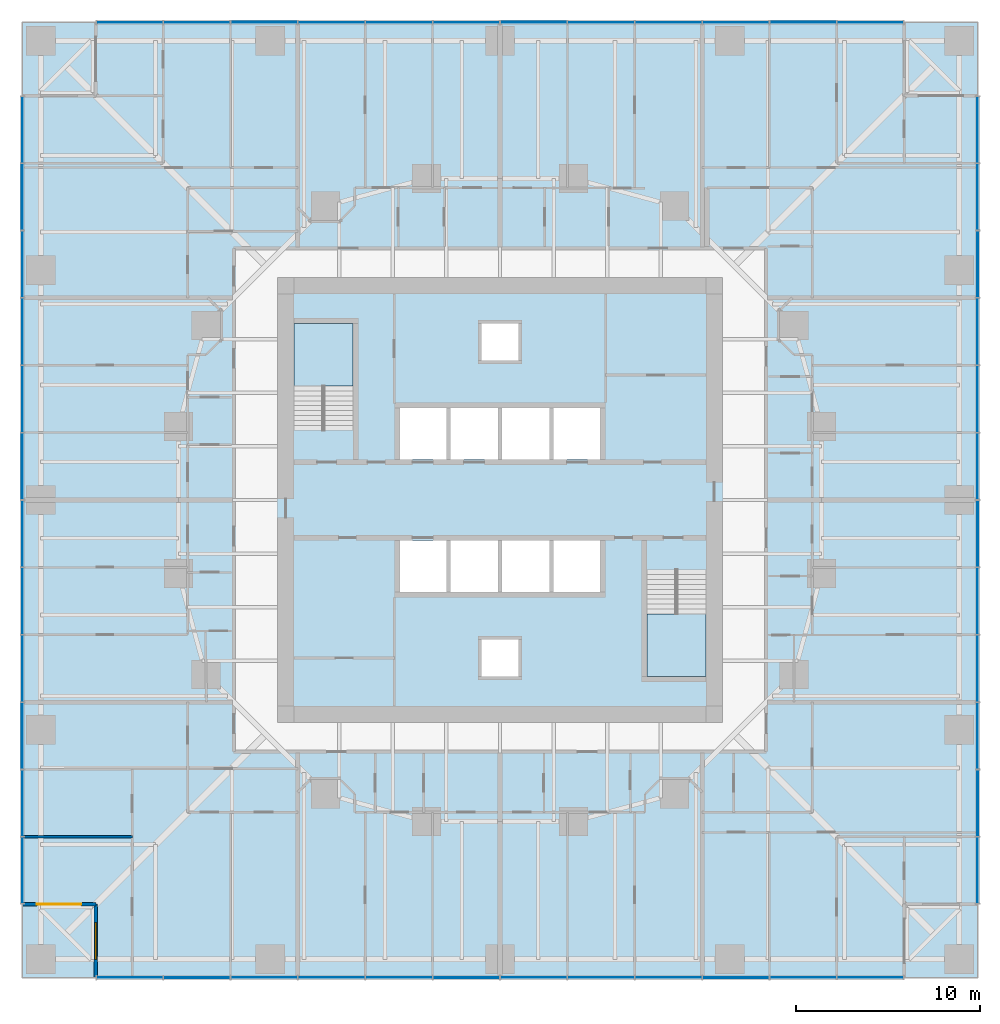
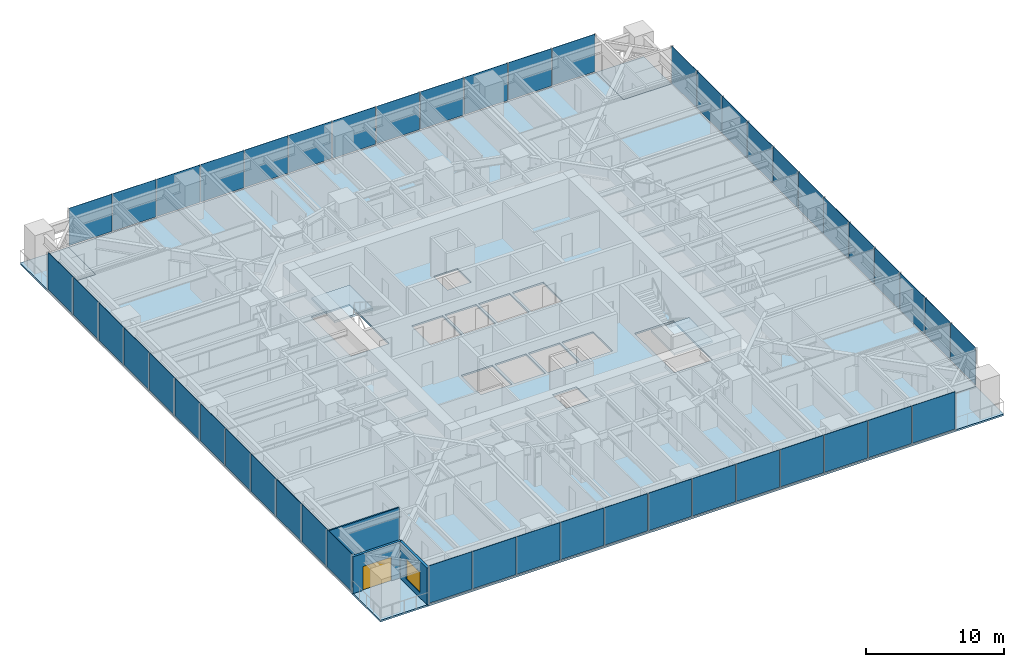
# One storey, part 7 of 17: 48 plates, 7 slabs, 3 walls, 1 door, 1 window, 2 openings, 6 elements without a shape of their own.
"""IFC4 building model written with IfcOpenShell, lengths in metres."""

import ifcopenshell
import ifcopenshell.guid

model = None  # the IFC model being written
_history = None  # IfcOwnerHistory: only IFC2X3 demands one
_inside = {}  # id of a spatial element -> (the spatial element, [elements in it])
_under = {}  # id of a project, library or spatial element -> (it, [spatial elements below it])
_declared = {}  # id of a project -> (the project, [libraries it declares])
_typed = {}  # id of a type object -> (the type object, [elements of that type])
_made_of = {}  # id of a material, layer set ... -> (it, [elements and type objects made of it])


def new_model(schema):
    """Start an empty IFC model of exactly this schema.

    Asked for "IFC4X3", IfcOpenShell would pick the latest addendum, in which some entities
    have other attributes; the version numbers below select the first issue.
    IFC2X3 requires an IfcOwnerHistory on every rooted entity: one is made here for all.
    """
    global model, _history
    if schema == "IFC4X3":
        model = ifcopenshell.file(schema_version=(4, 3, 0, 0))
    else:
        model = ifcopenshell.file(schema=schema)
    _inside.clear()
    _under.clear()
    _declared.clear()
    _typed.clear()
    _made_of.clear()
    _history = None
    if model.schema == "IFC2X3":
        org = make("IfcOrganization", Name="unknown")
        user = make(
            "IfcPersonAndOrganization",
            ThePerson=make("IfcPerson", FamilyName="unknown"),
            TheOrganization=org,
        )
        app = make(
            "IfcApplication",
            ApplicationDeveloper=org,
            Version="unknown",
            ApplicationFullName="unknown",
            ApplicationIdentifier="unknown",
        )
        _history = make(
            "IfcOwnerHistory",
            OwningUser=user,
            OwningApplication=app,
            ChangeAction="ADDED",
            CreationDate=0,
        )
    return model


def make(cls, **values):
    """One entity of the class cls with the attributes given. An attribute that is None is left unset."""
    return model.create_entity(
        cls, **{name: value for name, value in values.items() if value is not None}
    )


def rooted(cls, **values):
    """An entity with a GlobalId (a new one), such as an element, a storey or a relation."""
    return make(cls, GlobalId=ifcopenshell.guid.new(), OwnerHistory=_history, **values)


def si_unit(unit_type, name, prefix=None):
    """IfcSIUnit, for example si_unit("LENGTHUNIT", "METRE", prefix="MILLI")."""
    return make("IfcSIUnit", UnitType=unit_type, Prefix=prefix, Name=name)


def assignment(units):
    """IfcUnitAssignment: the units of a project."""
    return None if units is None else make("IfcUnitAssignment", Units=units)


def point(xyz):
    """IfcCartesianPoint."""
    return None if xyz is None else make("IfcCartesianPoint", Coordinates=xyz)


def direction(xyz):
    """IfcDirection."""
    return None if xyz is None else make("IfcDirection", DirectionRatios=xyz)


def frame(location, z_axis=None, x_axis=None):
    """IfcAxis2Placement3D, a coordinate frame: its origin and axes. An axis left out is left unset."""
    return make(
        "IfcAxis2Placement3D",
        Location=point(location),
        Axis=direction(z_axis),
        RefDirection=direction(x_axis),
    )


def frame_2d(location, x_axis=None):
    """IfcAxis2Placement2D, a coordinate frame in the plane: its origin and x axis."""
    return make(
        "IfcAxis2Placement2D", Location=point(location), RefDirection=direction(x_axis)
    )


def origin():
    """The frame at (0, 0, 0) with its axes left unset."""
    return frame((0.0, 0.0, 0.0))


def origin_2d():
    """The frame at (0, 0) in the plane with its x axis left unset."""
    return frame_2d((0.0, 0.0))


def place(relative_to, where):
    """IfcLocalPlacement: puts the frame where relative to a parent placement (None: the world)."""
    return make(
        "IfcLocalPlacement", PlacementRelTo=relative_to, RelativePlacement=where
    )


def context(
    kind, dimensions, precision=None, world=None, true_north=None, identifier=None
):
    """IfcGeometricRepresentationContext, for example the 3D "Model" context."""
    return make(
        "IfcGeometricRepresentationContext",
        ContextIdentifier=identifier,
        ContextType=kind,
        CoordinateSpaceDimension=dimensions,
        Precision=precision,
        WorldCoordinateSystem=world,
        TrueNorth=true_north,
    )


def subcontext(parent, identifier, kind, view, scale=None):
    """IfcGeometricRepresentationSubContext, for example "Body" below "Model"."""
    return make(
        "IfcGeometricRepresentationSubContext",
        ContextIdentifier=identifier,
        ContextType=kind,
        ParentContext=parent,
        TargetScale=scale,
        TargetView=view,
    )


def project(units=None, contexts=None):
    """IfcProject with its units and contexts."""
    return rooted(
        "IfcProject",
        Name="project",
        RepresentationContexts=contexts,
        UnitsInContext=assignment(units),
    )


def spatial(cls, under=None, at=None, **own):
    """A site, building, storey or space (cls), placed at a placement, below another one or the project."""
    s = rooted(cls, ObjectPlacement=at, **own)
    if under is not None:
        _under.setdefault(under.id(), (under, []))[1].append(s)
    return s


def polyline(points):
    """IfcPolyline through the points."""
    return make("IfcPolyline", Points=[point(p) for p in points])


def profile(cls, at=None, kind="AREA", **sizes):
    """A parametric profile (cls). Its sizes go by their IFC names, for example OverallWidth=200.0."""
    return make(cls, ProfileType=kind, Position=at, **sizes)


def rectangle(**sizes):
    """IfcRectangleProfileDef."""
    return profile("IfcRectangleProfileDef", **sizes)


def outline(outer, holes=None, kind="AREA"):
    """IfcArbitraryClosedProfileDef: a profile drawn as a closed curve; with holes, ...WithVoids."""
    if holes is None:
        return make("IfcArbitraryClosedProfileDef", ProfileType=kind, OuterCurve=outer)
    return make(
        "IfcArbitraryProfileDefWithVoids",
        ProfileType=kind,
        OuterCurve=outer,
        InnerCurves=holes,
    )


def extrude(swept, where, along, depth):
    """IfcExtrudedAreaSolid: the profile swept, set in the frame where, extruded along a direction by depth."""
    return make(
        "IfcExtrudedAreaSolid",
        SweptArea=swept,
        Position=where,
        ExtrudedDirection=direction(along),
        Depth=depth,
    )


def shape(context_of_items, identifier, shape_type, items):
    """IfcShapeRepresentation: the items that make up one representation, for example the "Body"."""
    return make(
        "IfcShapeRepresentation",
        ContextOfItems=context_of_items,
        RepresentationIdentifier=identifier,
        RepresentationType=shape_type,
        Items=items,
    )


def material(Name=None, Category=None):
    """IfcMaterial."""
    return make("IfcMaterial", Name=Name, Category=Category)


def layer(
    of_material, thickness, ventilated=None, Name=None, Category=None, Priority=None
):
    """IfcMaterialLayer: one layer of a wall or slab, of a material (None: an air gap)."""
    return make(
        "IfcMaterialLayer",
        Material=of_material,
        LayerThickness=thickness,
        IsVentilated=ventilated,
        Name=Name,
        Category=Category,
        Priority=Priority,
    )


def layer_set(layers, Name=None):
    """IfcMaterialLayerSet."""
    return make("IfcMaterialLayerSet", MaterialLayers=layers, LayerSetName=Name)


def made_of(thing, what):
    """Note that an element or type object is made of a material, layer set ...; save() writes the relation."""
    if what is not None:
        _made_of.setdefault(what.id(), (what, []))[1].append(thing)
    return thing


def type_object(cls, material=None, **own):
    """A type object (cls), such as IfcWallType, which elements share."""
    return made_of(rooted(cls, **own), material)


def element(
    cls,
    number,
    at=None,
    inside=None,
    cuts=None,
    type_object=None,
    material=None,
    context=None,
    identifier="Body",
    shape_type=None,
    held_by="IfcProductDefinitionShape",
    body=None,
    shapes=None,
    **own,
):
    """One element of the class cls, such as IfcWall. Its Tag is "e" and its number.

    at: its placement. inside: the storey or other place that contains it. cuts: it is an
    opening in that element (IfcRelVoidsElement). A single representation is given by context,
    identifier, shape_type and body (its items); several are given by shapes. held_by: the class
    of the entity that holds the representations. save() writes the other relations.
    """
    e = rooted(cls, Tag="e%d" % number, ObjectPlacement=at, **own)
    if body is not None:
        shapes = [shape(context, identifier, shape_type, body)]
    if shapes is not None:
        e.Representation = make(held_by, Representations=shapes)
    if inside is not None:
        _inside.setdefault(inside.id(), (inside, []))[1].append(e)
    if cuts is not None:
        rooted(
            "IfcRelVoidsElement", RelatingBuildingElement=cuts, RelatedOpeningElement=e
        )
    if type_object is not None:
        _typed.setdefault(type_object.id(), (type_object, []))[1].append(e)
    return made_of(e, material)


def fill(opening, filler):
    """IfcRelFillsElement: the door or window that sits in an opening."""
    return rooted(
        "IfcRelFillsElement",
        RelatingOpeningElement=opening,
        RelatedBuildingElement=filler,
    )


def aggregate(whole, parts):
    """IfcRelAggregates: a whole, such as a stair, and the parts it consists of."""
    return rooted("IfcRelAggregates", RelatingObject=whole, RelatedObjects=parts)


def save(model, path):
    """Write the relations noted so far, then the file.

    IfcRelAggregates (storeys below a building ...), IfcRelContainedInSpatialStructure (elements
    in a storey), IfcRelDefinesByType, IfcRelAssociatesMaterial and IfcRelDeclares: one each for
    every whole, place, type object, material and project.
    """
    for whole, parts in _under.values():
        aggregate(whole, parts)
    for where, things in _inside.values():
        rooted(
            "IfcRelContainedInSpatialStructure",
            RelatedElements=things,
            RelatingStructure=where,
        )
    for kind, things in _typed.values():
        rooted("IfcRelDefinesByType", RelatedObjects=things, RelatingType=kind)
    for what, things in _made_of.values():
        rooted("IfcRelAssociatesMaterial", RelatedObjects=things, RelatingMaterial=what)
    for by, libraries in _declared.values():
        rooted("IfcRelDeclares", RelatingContext=by, RelatedDefinitions=libraries)
    model.write(path)


model = new_model("IFC4")

# Units and contexts
model_context = context("Model", 3, precision=1e-05, world=origin(), true_north=direction((0.0, 1.0)))
body_context = subcontext(model_context, "Body", "Model", "MODEL_VIEW")
ifc_project = project(units=[si_unit("LENGTHUNIT", "METRE"), si_unit("AREAUNIT", "SQUARE_METRE"), si_unit("VOLUMEUNIT", "CUBIC_METRE"), si_unit("PLANEANGLEUNIT", "RADIAN"), si_unit("MASSUNIT", "GRAM", prefix="KILO")], contexts=[model_context])

# Site, building, storey
site_placement = place(None, origin())
site = spatial("IfcSite", under=ifc_project, at=site_placement, CompositionType="ELEMENT")
building_placement = place(site_placement, origin())
building = spatial("IfcBuilding", under=site, at=building_placement, Name="Torsade Residences", CompositionType="ELEMENT")
storey_placement = place(building_placement, frame((0.0, 0.0, 21.800048828125)))
storey = spatial("IfcBuildingStorey", under=building, at=storey_placement, Name="L05", CompositionType="ELEMENT", Elevation=21.800048828125)

# Slab
ifc_material_1 = material(Name="Concrete 40 MPa", Category="concrete")
ifc_layer_1 = layer(ifc_material_1, 0.14990234375)
ifc_layer_set_1 = layer_set([ifc_layer_1], Name="Concrete 40 MPa")
slab_type_1 = type_object("IfcSlabType", Name="COMPOSITE FLOOR SLAB 150", PredefinedType="FLOOR", material=ifc_layer_set_1)
slab_1_placement = place(storey_placement, frame((0.0, 0.0, -0.150146484375)))
element("IfcSlab", 1, at=slab_1_placement, inside=storey, type_object=slab_type_1, Name="Floor slab L05", PredefinedType="FLOOR", context=body_context, shape_type="SweptSolid", body=[
    extrude(outline(polyline([(18.0, 4.0), (62.0, 4.0), (62.0, 8.0), (66.0, 8.0), (66.0, 52.0), (62.0, 52.0), (62.0, 56.0), (18.0, 56.0), (18.0, 52.0), (14.0, 52.0), (14.0, 8.0), (18.0, 8.0), (18.0, 4.0)]), holes=[polyline([(51.199951171875, 20.39990234375), (51.199951171875, 26.1201171875), (48.0, 26.1201171875), (48.0, 20.39990234375), (51.199951171875, 20.39990234375)]), polyline([(45.5, 27.800048828125), (42.89990234375, 27.800048828125), (42.89990234375, 25.0), (45.5, 25.0), (45.5, 27.800048828125)]), polyline([(45.5, 32.199951171875), (45.5, 35.0), (42.89990234375, 35.0), (42.89990234375, 32.199951171875), (45.5, 32.199951171875)]), polyline([(42.699951171875, 25.0), (42.699951171875, 27.800048828125), (40.10009765625, 27.800048828125), (40.10009765625, 25.0), (42.699951171875, 25.0)]), polyline([(42.699951171875, 32.199951171875), (42.699951171875, 35.0), (40.10009765625, 35.0), (40.10009765625, 32.199951171875), (42.699951171875, 32.199951171875)]), polyline([(41.0, 22.39990234375), (39.0, 22.39990234375), (39.0, 20.39990234375), (41.0, 20.39990234375), (41.0, 22.39990234375)]), polyline([(41.0, 37.60009765625), (41.0, 39.60009765625), (39.0, 39.60009765625), (39.0, 37.60009765625), (41.0, 37.60009765625)]), polyline([(39.89990234375, 25.0), (39.89990234375, 27.800048828125), (37.300048828125, 27.800048828125), (37.300048828125, 25.0), (39.89990234375, 25.0)]), polyline([(39.89990234375, 35.0), (37.300048828125, 35.0), (37.300048828125, 32.199951171875), (39.89990234375, 32.199951171875), (39.89990234375, 35.0)]), polyline([(37.10009765625, 27.800048828125), (34.5, 27.800048828125), (34.5, 25.0), (37.10009765625, 25.0), (37.10009765625, 27.800048828125)]), polyline([(37.10009765625, 32.199951171875), (37.10009765625, 35.0), (34.5, 35.0), (34.5, 32.199951171875), (37.10009765625, 32.199951171875)]), polyline([(32.0, 33.8798828125), (32.0, 39.60009765625), (28.800048828125, 39.60009765625), (28.800048828125, 33.8798828125), (32.0, 33.8798828125)])]), origin(), (0.0, 0.0, 1.0), 0.150146484375),
])

# Curtain wall, plates
ifc_material_2 = material(Name="Aluminium and glass", Category="aluminium")
curtain_wall_type = type_object("IfcCurtainWallType", Name="FRITTED GLASS CURTAIN WALL LOW ZONE", PredefinedType="NOTDEFINED", material=ifc_material_2)
curtain_wall_1_placement = place(storey_placement, origin())
curtain_wall_1 = element("IfcCurtainWall", 2, at=curtain_wall_1_placement, inside=storey, type_object=curtain_wall_type, Name="Curtain wall L05 face 1", PredefinedType="NOTDEFINED")
ifc_material_3 = material(Name="Laminated glass", Category="glass")
ifc_layer_2 = layer(ifc_material_3, 0.031982421875)
ifc_layer_set_2 = layer_set([ifc_layer_2], Name="Laminated glass")
plate_type_1 = type_object("IfcPlateType", Name="FRITTED GLASS PANEL", PredefinedType="CURTAIN_PANEL", material=ifc_layer_set_2)
plate_1_placement = place(storey_placement, frame((19.849609375, 4.0, 0.10009765625), z_axis=(0.0, 0.0, 1.0), x_axis=(1.0, 0.0, 0.0)))
plate_1 = element("IfcPlate", 3, at=plate_1_placement, type_object=plate_type_1, Name="Panel 1", PredefinedType="CURTAIN_PANEL", context=body_context, shape_type="SweptSolid", body=[
    extrude(rectangle(XDim=3.569091796875, YDim=0.031982421875, at=origin_2d()), origin(), (0.0, 0.0, 1.0), 3.300048828125),
])
plate_2_placement = place(storey_placement, frame((27.166748046875, 4.0, 0.10009765625), z_axis=(0.0, 0.0, 1.0), x_axis=(1.0, 0.0, 0.0)))
plate_2 = element("IfcPlate", 4, at=plate_2_placement, type_object=plate_type_1, Name="Panel 3", PredefinedType="CURTAIN_PANEL", context=body_context, shape_type="SweptSolid", body=[
    extrude(rectangle(XDim=3.6015625, YDim=0.031982421875, at=origin_2d()), origin(), (0.0, 0.0, 1.0), 3.300048828125),
])
plate_3_placement = place(storey_placement, frame((30.833251953125, 4.0, 0.10009765625), z_axis=(0.0, 0.0, 1.0), x_axis=(1.0, 0.0, 0.0)))
plate_3 = element("IfcPlate", 5, at=plate_3_placement, type_object=plate_type_1, Name="Panel 4", PredefinedType="CURTAIN_PANEL", context=body_context, shape_type="SweptSolid", body=[
    extrude(rectangle(XDim=3.6015625, YDim=0.031982421875, at=origin_2d()), origin(), (0.0, 0.0, 1.0), 3.300048828125),
])
plate_4_placement = place(storey_placement, frame((34.5, 4.0, 0.10009765625), z_axis=(0.0, 0.0, 1.0), x_axis=(1.0, 0.0, 0.0)))
plate_4 = element("IfcPlate", 6, at=plate_4_placement, type_object=plate_type_1, Name="Panel 5", PredefinedType="CURTAIN_PANEL", context=body_context, shape_type="SweptSolid", body=[
    extrude(rectangle(XDim=3.6015625, YDim=0.031982421875, at=origin_2d()), origin(), (0.0, 0.0, 1.0), 3.300048828125),
])
plate_5_placement = place(storey_placement, frame((41.833251953125, 4.0, 0.10009765625), z_axis=(0.0, 0.0, 1.0), x_axis=(1.0, 0.0, 0.0)))
plate_5 = element("IfcPlate", 7, at=plate_5_placement, type_object=plate_type_1, Name="Panel 7", PredefinedType="CURTAIN_PANEL", context=body_context, shape_type="SweptSolid", body=[
    extrude(rectangle(XDim=3.6015625, YDim=0.031982421875, at=origin_2d()), origin(), (0.0, 0.0, 1.0), 3.300048828125),
])
plate_6_placement = place(storey_placement, frame((45.5, 4.0, 0.10009765625), z_axis=(0.0, 0.0, 1.0), x_axis=(1.0, 0.0, 0.0)))
plate_6 = element("IfcPlate", 8, at=plate_6_placement, type_object=plate_type_1, Name="Panel 8", PredefinedType="CURTAIN_PANEL", context=body_context, shape_type="SweptSolid", body=[
    extrude(rectangle(XDim=3.6015625, YDim=0.031982421875, at=origin_2d()), origin(), (0.0, 0.0, 1.0), 3.300048828125),
])
plate_7_placement = place(storey_placement, frame((49.166748046875, 4.0, 0.10009765625), z_axis=(0.0, 0.0, 1.0), x_axis=(1.0, 0.0, 0.0)))
plate_7 = element("IfcPlate", 9, at=plate_7_placement, type_object=plate_type_1, Name="Panel 9", PredefinedType="CURTAIN_PANEL", context=body_context, shape_type="SweptSolid", body=[
    extrude(rectangle(XDim=3.6015625, YDim=0.031982421875, at=origin_2d()), origin(), (0.0, 0.0, 1.0), 3.300048828125),
])
plate_8_placement = place(storey_placement, frame((56.5, 4.0, 0.10009765625), z_axis=(0.0, 0.0, 1.0), x_axis=(1.0, 0.0, 0.0)))
plate_8 = element("IfcPlate", 10, at=plate_8_placement, type_object=plate_type_1, Name="Panel 11", PredefinedType="CURTAIN_PANEL", context=body_context, shape_type="SweptSolid", body=[
    extrude(rectangle(XDim=3.6015625, YDim=0.031982421875, at=origin_2d()), origin(), (0.0, 0.0, 1.0), 3.300048828125),
])
plate_9_placement = place(storey_placement, frame((60.150390625, 4.0, 0.10009765625), z_axis=(0.0, 0.0, 1.0), x_axis=(1.0, 0.0, 0.0)))
plate_9 = element("IfcPlate", 11, at=plate_9_placement, type_object=plate_type_1, Name="Panel 12", PredefinedType="CURTAIN_PANEL", context=body_context, shape_type="SweptSolid", body=[
    extrude(rectangle(XDim=3.569091796875, YDim=0.031982421875, at=origin_2d()), origin(), (0.0, 0.0, 1.0), 3.300048828125),
])

curtain_wall_2_placement = place(storey_placement, origin())
curtain_wall_2 = element("IfcCurtainWall", 12, at=curtain_wall_2_placement, inside=storey, type_object=curtain_wall_type, Name="Curtain wall L05 face 4", PredefinedType="NOTDEFINED")
plate_10_placement = place(storey_placement, frame((66.0, 9.849609375, 0.10009765625), z_axis=(0.0, 0.0, 1.0), x_axis=(0.0, 1.0, 0.0)))
plate_10 = element("IfcPlate", 13, at=plate_10_placement, type_object=plate_type_1, Name="Panel 1", PredefinedType="CURTAIN_PANEL", context=body_context, shape_type="SweptSolid", body=[
    extrude(rectangle(XDim=3.569091796875, YDim=0.031982421875, at=origin_2d()), origin(), (0.0, 0.0, 1.0), 3.300048828125),
])
plate_11_placement = place(storey_placement, frame((66.0, 17.166748046875, 0.10009765625), z_axis=(0.0, 0.0, 1.0), x_axis=(0.0, 1.0, 0.0)))
plate_11 = element("IfcPlate", 14, at=plate_11_placement, type_object=plate_type_1, Name="Panel 3", PredefinedType="CURTAIN_PANEL", context=body_context, shape_type="SweptSolid", body=[
    extrude(rectangle(XDim=3.6015625, YDim=0.031982421875, at=origin_2d()), origin(), (0.0, 0.0, 1.0), 3.300048828125),
])
plate_12_placement = place(storey_placement, frame((66.0, 20.833251953125, 0.10009765625), z_axis=(0.0, 0.0, 1.0), x_axis=(0.0, 1.0, 0.0)))
plate_12 = element("IfcPlate", 15, at=plate_12_placement, type_object=plate_type_1, Name="Panel 4", PredefinedType="CURTAIN_PANEL", context=body_context, shape_type="SweptSolid", body=[
    extrude(rectangle(XDim=3.6015625, YDim=0.031982421875, at=origin_2d()), origin(), (0.0, 0.0, 1.0), 3.300048828125),
])
plate_13_placement = place(storey_placement, frame((66.0, 24.5, 0.10009765625), z_axis=(0.0, 0.0, 1.0), x_axis=(0.0, 1.0, 0.0)))
plate_13 = element("IfcPlate", 16, at=plate_13_placement, type_object=plate_type_1, Name="Panel 5", PredefinedType="CURTAIN_PANEL", context=body_context, shape_type="SweptSolid", body=[
    extrude(rectangle(XDim=3.6015625, YDim=0.031982421875, at=origin_2d()), origin(), (0.0, 0.0, 1.0), 3.300048828125),
])
plate_14_placement = place(storey_placement, frame((66.0, 31.833251953125, 0.10009765625), z_axis=(0.0, 0.0, 1.0), x_axis=(0.0, 1.0, 0.0)))
plate_14 = element("IfcPlate", 17, at=plate_14_placement, type_object=plate_type_1, Name="Panel 7", PredefinedType="CURTAIN_PANEL", context=body_context, shape_type="SweptSolid", body=[
    extrude(rectangle(XDim=3.6015625, YDim=0.031982421875, at=origin_2d()), origin(), (0.0, 0.0, 1.0), 3.300048828125),
])
plate_15_placement = place(storey_placement, frame((66.0, 35.5, 0.10009765625), z_axis=(0.0, 0.0, 1.0), x_axis=(0.0, 1.0, 0.0)))
plate_15 = element("IfcPlate", 18, at=plate_15_placement, type_object=plate_type_1, Name="Panel 8", PredefinedType="CURTAIN_PANEL", context=body_context, shape_type="SweptSolid", body=[
    extrude(rectangle(XDim=3.6015625, YDim=0.031982421875, at=origin_2d()), origin(), (0.0, 0.0, 1.0), 3.300048828125),
])
plate_16_placement = place(storey_placement, frame((66.0, 39.166748046875, 0.10009765625), z_axis=(0.0, 0.0, 1.0), x_axis=(0.0, 1.0, 0.0)))
plate_16 = element("IfcPlate", 19, at=plate_16_placement, type_object=plate_type_1, Name="Panel 9", PredefinedType="CURTAIN_PANEL", context=body_context, shape_type="SweptSolid", body=[
    extrude(rectangle(XDim=3.6015625, YDim=0.031982421875, at=origin_2d()), origin(), (0.0, 0.0, 1.0), 3.300048828125),
])
plate_17_placement = place(storey_placement, frame((66.0, 46.5, 0.10009765625), z_axis=(0.0, 0.0, 1.0), x_axis=(0.0, 1.0, 0.0)))
plate_17 = element("IfcPlate", 20, at=plate_17_placement, type_object=plate_type_1, Name="Panel 11", PredefinedType="CURTAIN_PANEL", context=body_context, shape_type="SweptSolid", body=[
    extrude(rectangle(XDim=3.6015625, YDim=0.031982421875, at=origin_2d()), origin(), (0.0, 0.0, 1.0), 3.300048828125),
])
plate_18_placement = place(storey_placement, frame((66.0, 50.150390625, 0.10009765625), z_axis=(0.0, 0.0, 1.0), x_axis=(0.0, 1.0, 0.0)))
plate_18 = element("IfcPlate", 21, at=plate_18_placement, type_object=plate_type_1, Name="Panel 12", PredefinedType="CURTAIN_PANEL", context=body_context, shape_type="SweptSolid", body=[
    extrude(rectangle(XDim=3.569091796875, YDim=0.031982421875, at=origin_2d()), origin(), (0.0, 0.0, 1.0), 3.300048828125),
])

curtain_wall_3_placement = place(storey_placement, origin())
curtain_wall_3 = element("IfcCurtainWall", 22, at=curtain_wall_3_placement, inside=storey, type_object=curtain_wall_type, Name="Curtain wall L05 face 7", PredefinedType="NOTDEFINED")
plate_19_placement = place(storey_placement, frame((60.150390625, 56.0, 0.10009765625), z_axis=(0.0, 0.0, 1.0), x_axis=(-1.0, 0.0, 0.0)))
plate_19 = element("IfcPlate", 23, at=plate_19_placement, type_object=plate_type_1, Name="Panel 1", PredefinedType="CURTAIN_PANEL", context=body_context, shape_type="SweptSolid", body=[
    extrude(rectangle(XDim=3.569091796875, YDim=0.031982421875, at=origin_2d()), origin(), (0.0, 0.0, 1.0), 3.300048828125),
])
plate_20_placement = place(storey_placement, frame((52.833251953125, 56.0, 0.10009765625), z_axis=(0.0, 0.0, 1.0), x_axis=(-1.0, 0.0, 0.0)))
plate_20 = element("IfcPlate", 24, at=plate_20_placement, type_object=plate_type_1, Name="Panel 3", PredefinedType="CURTAIN_PANEL", context=body_context, shape_type="SweptSolid", body=[
    extrude(rectangle(XDim=3.6015625, YDim=0.031982421875, at=origin_2d()), origin(), (0.0, 0.0, 1.0), 3.300048828125),
])
plate_21_placement = place(storey_placement, frame((49.166748046875, 56.0, 0.10009765625), z_axis=(0.0, 0.0, 1.0), x_axis=(-1.0, 0.0, 0.0)))
plate_21 = element("IfcPlate", 25, at=plate_21_placement, type_object=plate_type_1, Name="Panel 4", PredefinedType="CURTAIN_PANEL", context=body_context, shape_type="SweptSolid", body=[
    extrude(rectangle(XDim=3.6015625, YDim=0.031982421875, at=origin_2d()), origin(), (0.0, 0.0, 1.0), 3.300048828125),
])
plate_22_placement = place(storey_placement, frame((45.5, 56.0, 0.10009765625), z_axis=(0.0, 0.0, 1.0), x_axis=(-1.0, 0.0, 0.0)))
plate_22 = element("IfcPlate", 26, at=plate_22_placement, type_object=plate_type_1, Name="Panel 5", PredefinedType="CURTAIN_PANEL", context=body_context, shape_type="SweptSolid", body=[
    extrude(rectangle(XDim=3.6015625, YDim=0.031982421875, at=origin_2d()), origin(), (0.0, 0.0, 1.0), 3.300048828125),
])
plate_23_placement = place(storey_placement, frame((38.166748046875, 56.0, 0.10009765625), z_axis=(0.0, 0.0, 1.0), x_axis=(-1.0, 0.0, 0.0)))
plate_23 = element("IfcPlate", 27, at=plate_23_placement, type_object=plate_type_1, Name="Panel 7", PredefinedType="CURTAIN_PANEL", context=body_context, shape_type="SweptSolid", body=[
    extrude(rectangle(XDim=3.6015625, YDim=0.031982421875, at=origin_2d()), origin(), (0.0, 0.0, 1.0), 3.300048828125),
])
plate_24_placement = place(storey_placement, frame((34.5, 56.0, 0.10009765625), z_axis=(0.0, 0.0, 1.0), x_axis=(-1.0, 0.0, 0.0)))
plate_24 = element("IfcPlate", 28, at=plate_24_placement, type_object=plate_type_1, Name="Panel 8", PredefinedType="CURTAIN_PANEL", context=body_context, shape_type="SweptSolid", body=[
    extrude(rectangle(XDim=3.6015625, YDim=0.031982421875, at=origin_2d()), origin(), (0.0, 0.0, 1.0), 3.300048828125),
])
plate_25_placement = place(storey_placement, frame((30.833251953125, 56.0, 0.10009765625), z_axis=(0.0, 0.0, 1.0), x_axis=(-1.0, 0.0, 0.0)))
plate_25 = element("IfcPlate", 29, at=plate_25_placement, type_object=plate_type_1, Name="Panel 9", PredefinedType="CURTAIN_PANEL", context=body_context, shape_type="SweptSolid", body=[
    extrude(rectangle(XDim=3.6015625, YDim=0.031982421875, at=origin_2d()), origin(), (0.0, 0.0, 1.0), 3.300048828125),
])
plate_26_placement = place(storey_placement, frame((23.5, 56.0, 0.10009765625), z_axis=(0.0, 0.0, 1.0), x_axis=(-1.0, 0.0, 0.0)))
plate_26 = element("IfcPlate", 30, at=plate_26_placement, type_object=plate_type_1, Name="Panel 11", PredefinedType="CURTAIN_PANEL", context=body_context, shape_type="SweptSolid", body=[
    extrude(rectangle(XDim=3.6015625, YDim=0.031982421875, at=origin_2d()), origin(), (0.0, 0.0, 1.0), 3.300048828125),
])
plate_27_placement = place(storey_placement, frame((19.849609375, 56.0, 0.10009765625), z_axis=(0.0, 0.0, 1.0), x_axis=(-1.0, 0.0, 0.0)))
plate_27 = element("IfcPlate", 31, at=plate_27_placement, type_object=plate_type_1, Name="Panel 12", PredefinedType="CURTAIN_PANEL", context=body_context, shape_type="SweptSolid", body=[
    extrude(rectangle(XDim=3.569091796875, YDim=0.031982421875, at=origin_2d()), origin(), (0.0, 0.0, 1.0), 3.300048828125),
])

curtain_wall_4_placement = place(storey_placement, origin())
curtain_wall_4 = element("IfcCurtainWall", 32, at=curtain_wall_4_placement, inside=storey, type_object=curtain_wall_type, Name="Curtain wall L05 face 10", PredefinedType="NOTDEFINED")
plate_28_placement = place(storey_placement, frame((14.0, 50.150390625, 0.10009765625), z_axis=(0.0, 0.0, 1.0), x_axis=(0.0, -1.0, 0.0)))
plate_28 = element("IfcPlate", 33, at=plate_28_placement, type_object=plate_type_1, Name="Panel 1", PredefinedType="CURTAIN_PANEL", context=body_context, shape_type="SweptSolid", body=[
    extrude(rectangle(XDim=3.569091796875, YDim=0.031982421875, at=origin_2d()), origin(), (0.0, 0.0, 1.0), 3.300048828125),
])
plate_29_placement = place(storey_placement, frame((14.0, 42.833251953125, 0.10009765625), z_axis=(0.0, 0.0, 1.0), x_axis=(0.0, -1.0, 0.0)))
plate_29 = element("IfcPlate", 34, at=plate_29_placement, type_object=plate_type_1, Name="Panel 3", PredefinedType="CURTAIN_PANEL", context=body_context, shape_type="SweptSolid", body=[
    extrude(rectangle(XDim=3.6015625, YDim=0.031982421875, at=origin_2d()), origin(), (0.0, 0.0, 1.0), 3.300048828125),
])
plate_30_placement = place(storey_placement, frame((14.0, 39.166748046875, 0.10009765625), z_axis=(0.0, 0.0, 1.0), x_axis=(0.0, -1.0, 0.0)))
plate_30 = element("IfcPlate", 35, at=plate_30_placement, type_object=plate_type_1, Name="Panel 4", PredefinedType="CURTAIN_PANEL", context=body_context, shape_type="SweptSolid", body=[
    extrude(rectangle(XDim=3.6015625, YDim=0.031982421875, at=origin_2d()), origin(), (0.0, 0.0, 1.0), 3.300048828125),
])
plate_31_placement = place(storey_placement, frame((14.0, 35.5, 0.10009765625), z_axis=(0.0, 0.0, 1.0), x_axis=(0.0, -1.0, 0.0)))
plate_31 = element("IfcPlate", 36, at=plate_31_placement, type_object=plate_type_1, Name="Panel 5", PredefinedType="CURTAIN_PANEL", context=body_context, shape_type="SweptSolid", body=[
    extrude(rectangle(XDim=3.6015625, YDim=0.031982421875, at=origin_2d()), origin(), (0.0, 0.0, 1.0), 3.300048828125),
])
plate_32_placement = place(storey_placement, frame((14.0, 28.166748046875, 0.10009765625), z_axis=(0.0, 0.0, 1.0), x_axis=(0.0, -1.0, 0.0)))
plate_32 = element("IfcPlate", 37, at=plate_32_placement, type_object=plate_type_1, Name="Panel 7", PredefinedType="CURTAIN_PANEL", context=body_context, shape_type="SweptSolid", body=[
    extrude(rectangle(XDim=3.6015625, YDim=0.031982421875, at=origin_2d()), origin(), (0.0, 0.0, 1.0), 3.300048828125),
])
plate_33_placement = place(storey_placement, frame((14.0, 24.5, 0.10009765625), z_axis=(0.0, 0.0, 1.0), x_axis=(0.0, -1.0, 0.0)))
plate_33 = element("IfcPlate", 38, at=plate_33_placement, type_object=plate_type_1, Name="Panel 8", PredefinedType="CURTAIN_PANEL", context=body_context, shape_type="SweptSolid", body=[
    extrude(rectangle(XDim=3.6015625, YDim=0.031982421875, at=origin_2d()), origin(), (0.0, 0.0, 1.0), 3.300048828125),
])
plate_34_placement = place(storey_placement, frame((14.0, 20.833251953125, 0.10009765625), z_axis=(0.0, 0.0, 1.0), x_axis=(0.0, -1.0, 0.0)))
plate_34 = element("IfcPlate", 39, at=plate_34_placement, type_object=plate_type_1, Name="Panel 9", PredefinedType="CURTAIN_PANEL", context=body_context, shape_type="SweptSolid", body=[
    extrude(rectangle(XDim=3.6015625, YDim=0.031982421875, at=origin_2d()), origin(), (0.0, 0.0, 1.0), 3.300048828125),
])
plate_35_placement = place(storey_placement, frame((14.0, 13.5, 0.10009765625), z_axis=(0.0, 0.0, 1.0), x_axis=(0.0, -1.0, 0.0)))
plate_35 = element("IfcPlate", 40, at=plate_35_placement, type_object=plate_type_1, Name="Panel 11", PredefinedType="CURTAIN_PANEL", context=body_context, shape_type="SweptSolid", body=[
    extrude(rectangle(XDim=3.6015625, YDim=0.031982421875, at=origin_2d()), origin(), (0.0, 0.0, 1.0), 3.300048828125),
])
plate_36_placement = place(storey_placement, frame((14.0, 9.849609375, 0.10009765625), z_axis=(0.0, 0.0, 1.0), x_axis=(0.0, -1.0, 0.0)))
plate_36 = element("IfcPlate", 41, at=plate_36_placement, type_object=plate_type_1, Name="Panel 12", PredefinedType="CURTAIN_PANEL", context=body_context, shape_type="SweptSolid", body=[
    extrude(rectangle(XDim=3.569091796875, YDim=0.031982421875, at=origin_2d()), origin(), (0.0, 0.0, 1.0), 3.300048828125),
])

# Plate
ifc_material_4 = material(Name="Laminated glass", Category="glass")
ifc_layer_3 = layer(ifc_material_4, 0.0400390625)
ifc_layer_set_3 = layer_set([ifc_layer_3], Name="Laminated glass")
plate_type_2 = type_object("IfcPlateType", Name="OPERABLE VENT PANEL", PredefinedType="CURTAIN_PANEL", material=ifc_layer_set_3)
plate_37_placement = place(storey_placement, frame((23.5, 4.0, 0.10009765625), z_axis=(0.0, 0.0, 1.0), x_axis=(1.0, 0.0, 0.0)))
plate_37 = element("IfcPlate", 42, at=plate_37_placement, type_object=plate_type_2, Name="Panel 2", PredefinedType="CURTAIN_PANEL", context=body_context, shape_type="SweptSolid", body=[
    extrude(rectangle(XDim=3.6015625, YDim=0.0400390625, at=origin_2d()), origin(), (0.0, 0.0, 1.0), 3.300048828125),
])

plate_38_placement = place(storey_placement, frame((38.166748046875, 4.0, 0.10009765625), z_axis=(0.0, 0.0, 1.0), x_axis=(1.0, 0.0, 0.0)))
plate_38 = element("IfcPlate", 43, at=plate_38_placement, type_object=plate_type_2, Name="Panel 6", PredefinedType="CURTAIN_PANEL", context=body_context, shape_type="SweptSolid", body=[
    extrude(rectangle(XDim=3.6015625, YDim=0.0400390625, at=origin_2d()), origin(), (0.0, 0.0, 1.0), 3.300048828125),
])

plate_39_placement = place(storey_placement, frame((52.833251953125, 4.0, 0.10009765625), z_axis=(0.0, 0.0, 1.0), x_axis=(1.0, 0.0, 0.0)))
plate_39 = element("IfcPlate", 44, at=plate_39_placement, type_object=plate_type_2, Name="Panel 10", PredefinedType="CURTAIN_PANEL", context=body_context, shape_type="SweptSolid", body=[
    extrude(rectangle(XDim=3.6015625, YDim=0.0400390625, at=origin_2d()), origin(), (0.0, 0.0, 1.0), 3.300048828125),
])

aggregate(curtain_wall_1, [plate_1, plate_37, plate_2, plate_3, plate_4, plate_38, plate_5, plate_6, plate_7, plate_39, plate_8, plate_9])

plate_40_placement = place(storey_placement, frame((66.0, 13.5, 0.10009765625), z_axis=(0.0, 0.0, 1.0), x_axis=(0.0, 1.0, 0.0)))
plate_40 = element("IfcPlate", 45, at=plate_40_placement, type_object=plate_type_2, Name="Panel 2", PredefinedType="CURTAIN_PANEL", context=body_context, shape_type="SweptSolid", body=[
    extrude(rectangle(XDim=3.6015625, YDim=0.0400390625, at=origin_2d()), origin(), (0.0, 0.0, 1.0), 3.300048828125),
])

plate_41_placement = place(storey_placement, frame((66.0, 28.166748046875, 0.10009765625), z_axis=(0.0, 0.0, 1.0), x_axis=(0.0, 1.0, 0.0)))
plate_41 = element("IfcPlate", 46, at=plate_41_placement, type_object=plate_type_2, Name="Panel 6", PredefinedType="CURTAIN_PANEL", context=body_context, shape_type="SweptSolid", body=[
    extrude(rectangle(XDim=3.6015625, YDim=0.0400390625, at=origin_2d()), origin(), (0.0, 0.0, 1.0), 3.300048828125),
])

plate_42_placement = place(storey_placement, frame((66.0, 42.833251953125, 0.10009765625), z_axis=(0.0, 0.0, 1.0), x_axis=(0.0, 1.0, 0.0)))
plate_42 = element("IfcPlate", 47, at=plate_42_placement, type_object=plate_type_2, Name="Panel 10", PredefinedType="CURTAIN_PANEL", context=body_context, shape_type="SweptSolid", body=[
    extrude(rectangle(XDim=3.6015625, YDim=0.0400390625, at=origin_2d()), origin(), (0.0, 0.0, 1.0), 3.300048828125),
])

aggregate(curtain_wall_2, [plate_10, plate_40, plate_11, plate_12, plate_13, plate_41, plate_14, plate_15, plate_16, plate_42, plate_17, plate_18])

plate_43_placement = place(storey_placement, frame((56.5, 56.0, 0.10009765625), z_axis=(0.0, 0.0, 1.0), x_axis=(-1.0, 0.0, 0.0)))
plate_43 = element("IfcPlate", 48, at=plate_43_placement, type_object=plate_type_2, Name="Panel 2", PredefinedType="CURTAIN_PANEL", context=body_context, shape_type="SweptSolid", body=[
    extrude(rectangle(XDim=3.6015625, YDim=0.0400390625, at=origin_2d()), origin(), (0.0, 0.0, 1.0), 3.300048828125),
])

plate_44_placement = place(storey_placement, frame((41.833251953125, 56.0, 0.10009765625), z_axis=(0.0, 0.0, 1.0), x_axis=(-1.0, 0.0, 0.0)))
plate_44 = element("IfcPlate", 49, at=plate_44_placement, type_object=plate_type_2, Name="Panel 6", PredefinedType="CURTAIN_PANEL", context=body_context, shape_type="SweptSolid", body=[
    extrude(rectangle(XDim=3.6015625, YDim=0.0400390625, at=origin_2d()), origin(), (0.0, 0.0, 1.0), 3.300048828125),
])

plate_45_placement = place(storey_placement, frame((27.166748046875, 56.0, 0.10009765625), z_axis=(0.0, 0.0, 1.0), x_axis=(-1.0, 0.0, 0.0)))
plate_45 = element("IfcPlate", 50, at=plate_45_placement, type_object=plate_type_2, Name="Panel 10", PredefinedType="CURTAIN_PANEL", context=body_context, shape_type="SweptSolid", body=[
    extrude(rectangle(XDim=3.6015625, YDim=0.0400390625, at=origin_2d()), origin(), (0.0, 0.0, 1.0), 3.300048828125),
])

aggregate(curtain_wall_3, [plate_19, plate_43, plate_20, plate_21, plate_22, plate_44, plate_23, plate_24, plate_25, plate_45, plate_26, plate_27])

plate_46_placement = place(storey_placement, frame((14.0, 46.5, 0.10009765625), z_axis=(0.0, 0.0, 1.0), x_axis=(0.0, -1.0, 0.0)))
plate_46 = element("IfcPlate", 51, at=plate_46_placement, type_object=plate_type_2, Name="Panel 2", PredefinedType="CURTAIN_PANEL", context=body_context, shape_type="SweptSolid", body=[
    extrude(rectangle(XDim=3.6015625, YDim=0.0400390625, at=origin_2d()), origin(), (0.0, 0.0, 1.0), 3.300048828125),
])

plate_47_placement = place(storey_placement, frame((14.0, 31.833251953125, 0.10009765625), z_axis=(0.0, 0.0, 1.0), x_axis=(0.0, -1.0, 0.0)))
plate_47 = element("IfcPlate", 52, at=plate_47_placement, type_object=plate_type_2, Name="Panel 6", PredefinedType="CURTAIN_PANEL", context=body_context, shape_type="SweptSolid", body=[
    extrude(rectangle(XDim=3.6015625, YDim=0.0400390625, at=origin_2d()), origin(), (0.0, 0.0, 1.0), 3.300048828125),
])

plate_48_placement = place(storey_placement, frame((14.0, 17.166748046875, 0.10009765625), z_axis=(0.0, 0.0, 1.0), x_axis=(0.0, -1.0, 0.0)))
plate_48 = element("IfcPlate", 53, at=plate_48_placement, type_object=plate_type_2, Name="Panel 10", PredefinedType="CURTAIN_PANEL", context=body_context, shape_type="SweptSolid", body=[
    extrude(rectangle(XDim=3.6015625, YDim=0.0400390625, at=origin_2d()), origin(), (0.0, 0.0, 1.0), 3.300048828125),
])

aggregate(curtain_wall_4, [plate_28, plate_46, plate_29, plate_30, plate_31, plate_47, plate_32, plate_33, plate_34, plate_48, plate_35, plate_36])

# Stair, slab
ifc_material_5 = material(Name="Precast concrete 40 MPa", Category="concrete")
stair_type = type_object("IfcStairType", Name="HALF-TURN FIRE STAIR 1500x3400", PredefinedType="HALF_TURN_STAIR", material=ifc_material_5)
stair_1_placement = place(storey_placement, origin())
stair_1 = element("IfcStair", 54, at=stair_1_placement, inside=storey, type_object=stair_type, Name="Stair ST1 L05", PredefinedType="HALF_TURN_STAIR")
ifc_material_6 = material(Name="Precast concrete 40 MPa", Category="concrete")
ifc_layer_4 = layer(ifc_material_6, 0.179931640625)
ifc_layer_set_4 = layer_set([ifc_layer_4], Name="Precast concrete 40 MPa")
slab_type_2 = type_object("IfcSlabType", Name="PRECAST STAIR LANDING 180", PredefinedType="LANDING", material=ifc_layer_set_4)
slab_2_placement = place(storey_placement, frame((0.0, 0.0, 1.52001953125)))
slab_2 = element("IfcSlab", 55, at=slab_2_placement, type_object=slab_type_2, Name="ST1 landing 1", PredefinedType="LANDING", context=body_context, shape_type="SweptSolid", body=[
    extrude(outline(polyline([(28.800048828125, 36.2099609375), (32.0, 36.2099609375), (32.0, 39.60009765625), (28.800048828125, 39.60009765625), (28.800048828125, 36.2099609375)])), origin(), (0.0, 0.0, 1.0), 0.179931640625),
])
aggregate(stair_1, [slab_2])

stair_2_placement = place(storey_placement, origin())
stair_2 = element("IfcStair", 56, at=stair_2_placement, inside=storey, type_object=stair_type, Name="Stair ST2 L05", PredefinedType="HALF_TURN_STAIR")
slab_3_placement = place(storey_placement, frame((0.0, 0.0, 1.52001953125)))
slab_3 = element("IfcSlab", 57, at=slab_3_placement, type_object=slab_type_2, Name="ST2 landing 1", PredefinedType="LANDING", context=body_context, shape_type="SweptSolid", body=[
    extrude(outline(polyline([(48.0, 20.39990234375), (51.199951171875, 20.39990234375), (51.199951171875, 23.7900390625), (48.0, 23.7900390625), (48.0, 20.39990234375)])), origin(), (0.0, 0.0, 1.0), 0.179931640625),
])
aggregate(stair_2, [slab_3])

# Slabs
ifc_material_7 = material(Name="Concrete 40 MPa", Category="concrete")
ifc_layer_5 = layer(ifc_material_7, 0.14990234375)
ifc_layer_set_5 = layer_set([ifc_layer_5], Name="Concrete 40 MPa")
slab_type_3 = type_object("IfcSlabType", Name="TERRACE SLAB 150", PredefinedType="FLOOR", material=ifc_layer_set_5)
slab_4_placement = place(storey_placement, frame((0.0, 0.0, -0.150146484375)))
element("IfcSlab", 58, at=slab_4_placement, inside=storey, type_object=slab_type_3, Name="Corner terrace slab SE L05", PredefinedType="FLOOR", context=body_context, shape_type="SweptSolid", body=[
    extrude(outline(polyline([(62.0, 4.0), (66.0, 4.0), (66.0, 8.0), (62.0, 8.0), (62.0, 4.0)])), origin(), (0.0, 0.0, 1.0), 0.150146484375),
])
slab_5_placement = place(storey_placement, frame((0.0, 0.0, -0.150146484375)))
element("IfcSlab", 59, at=slab_5_placement, inside=storey, type_object=slab_type_3, Name="Corner terrace slab NE L05", PredefinedType="FLOOR", context=body_context, shape_type="SweptSolid", body=[
    extrude(outline(polyline([(62.0, 52.0), (66.0, 52.0), (66.0, 56.0), (62.0, 56.0), (62.0, 52.0)])), origin(), (0.0, 0.0, 1.0), 0.150146484375),
])
slab_6_placement = place(storey_placement, frame((0.0, 0.0, -0.150146484375)))
element("IfcSlab", 60, at=slab_6_placement, inside=storey, type_object=slab_type_3, Name="Corner terrace slab NW L05", PredefinedType="FLOOR", context=body_context, shape_type="SweptSolid", body=[
    extrude(outline(polyline([(14.0, 52.0), (18.0, 52.0), (18.0, 56.0), (14.0, 56.0), (14.0, 52.0)])), origin(), (0.0, 0.0, 1.0), 0.150146484375),
])
slab_7_placement = place(storey_placement, frame((0.0, 0.0, -0.150146484375)))
element("IfcSlab", 61, at=slab_7_placement, inside=storey, type_object=slab_type_3, Name="Corner terrace slab SW L05", PredefinedType="FLOOR", context=body_context, shape_type="SweptSolid", body=[
    extrude(outline(polyline([(14.0, 4.0), (18.0, 4.0), (18.0, 8.0), (14.0, 8.0), (14.0, 4.0)])), origin(), (0.0, 0.0, 1.0), 0.150146484375),
])

# Wall
ifc_material_8 = material(Name="Plasterboard on steel stud", Category="steel")
ifc_layer_6 = layer(ifc_material_8, 0.1201171875)
ifc_layer_set_6 = layer_set([ifc_layer_6], Name="Plasterboard on steel stud")
wall_type_1 = type_object("IfcWallType", Name="PARTITION 120", PredefinedType="PARTITIONING", material=ifc_layer_set_6)
wall_1_placement = place(storey_placement, frame((14.0400390625, 11.666748046875, 0.0), z_axis=(0.0, 0.0, 1.0), x_axis=(1.0, 0.0, 0.0)))
element("IfcWall", 62, at=wall_1_placement, inside=storey, type_object=wall_type_1, Name="Partition L05", PredefinedType="PARTITIONING", context=body_context, shape_type="SweptSolid", body=[
    extrude(rectangle(XDim=5.946044921875, YDim=0.1201171875, at=frame_2d((2.97314453125, 0.0))), origin(), (0.0, 0.0, 1.0), 3.25),
])

# Wall, opening, door
ifc_material_9 = material(Name="Stone-faced precast concrete 40 MPa panel", Category="masonry")
ifc_layer_7 = layer(ifc_material_9, 0.199951171875)
ifc_layer_set_7 = layer_set([ifc_layer_7], Name="Stone-faced precast concrete 40 MPa panel")
wall_type_2 = type_object("IfcWallType", Name="TERRACE WALL 200", PredefinedType="SOLIDWALL", material=ifc_layer_set_7)
wall_2_placement = place(storey_placement, frame((14.0, 8.0, 0.0), z_axis=(0.0, 0.0, 1.0), x_axis=(1.0, 0.0, 0.0)))
wall_2 = element("IfcWall", 63, at=wall_2_placement, inside=storey, type_object=wall_type_2, Name="Terrace wall L05 11", PredefinedType="SOLIDWALL", context=body_context, shape_type="SweptSolid", body=[
    extrude(rectangle(XDim=4.0, YDim=0.199951171875, at=frame_2d((2.0, 0.0))), origin(), (0.0, 0.0, 1.0), 3.25),
])
opening_1_placement = place(wall_2_placement, frame((0.800048828125, 0.0, 0.0)))
opening_1 = element("IfcOpeningElement", 64, at=opening_1_placement, cuts=wall_2, Name="Opening D10A", PredefinedType="OPENING", context=body_context, shape_type="SweptSolid", body=[
    extrude(rectangle(XDim=2.39990234375, YDim=2.10009765625, at=frame_2d((1.199951171875, 1.050048828125))), frame((0.0, 0.10986328125, 0.0), z_axis=(0.0, -1.0, 0.0), x_axis=(1.0, 0.0, 0.0)), (0.0, 0.0, 1.0), 0.219970703125),
])
ifc_material_10 = material(Name="Aluminium-framed glass door", Category="aluminium")
door_type = type_object("IfcDoorType", Name="TERRACE SLIDING DOOR 2400x2100", OperationType="SLIDING_TO_LEFT", PredefinedType="DOOR", material=ifc_material_10)
door_placement = place(opening_1_placement, origin())
door = element("IfcDoor", 65, at=door_placement, inside=storey, type_object=door_type, Name="Terrace door L05 11", OperationType="SLIDING_TO_LEFT", OverallHeight=2.10009765625, OverallWidth=2.39990234375, PredefinedType="DOOR", context=body_context, shape_type="SweptSolid", body=[
    extrude(rectangle(XDim=2.39990234375, YDim=2.10009765625, at=frame_2d((1.199951171875, 1.050048828125))), frame((0.0, 0.02490234375, 0.0), z_axis=(0.0, -1.0, 0.0), x_axis=(1.0, 0.0, 0.0)), (0.0, 0.0, 1.0), 0.050048828125),
])
fill(opening_1, door)

# Wall, opening, window
wall_3_placement = place(storey_placement, frame((18.0, 8.0, 0.0), z_axis=(0.0, 0.0, 1.0), x_axis=(0.0, -1.0, 0.0)))
wall_3 = element("IfcWall", 66, at=wall_3_placement, inside=storey, type_object=wall_type_2, Name="Terrace wall L05 12", PredefinedType="SOLIDWALL", context=body_context, shape_type="SweptSolid", body=[
    extrude(rectangle(XDim=4.0, YDim=0.199951171875, at=frame_2d((2.0, 0.0))), origin(), (0.0, 0.0, 1.0), 3.25),
])
opening_2_placement = place(wall_3_placement, frame((1.0, 0.0, 0.449951171875)))
opening_2 = element("IfcOpeningElement", 67, at=opening_2_placement, cuts=wall_3, Name="Opening W1B", PredefinedType="OPENING", context=body_context, shape_type="SweptSolid", body=[
    extrude(rectangle(XDim=2.0, YDim=1.800048828125, at=frame_2d((1.0, 0.89990234375))), frame((0.0, 0.10986328125, 0.0), z_axis=(0.0, -1.0, 0.0), x_axis=(1.0, 0.0, 0.0)), (0.0, 0.0, 1.0), 0.219970703125),
])
ifc_material_11 = material(Name="Aluminium-framed glass window", Category="aluminium")
window_type = type_object("IfcWindowType", Name="TERRACE WINDOW 2000x1800", PartitioningType="SINGLE_PANEL", PredefinedType="WINDOW", material=ifc_material_11)
window_placement = place(opening_2_placement, origin())
window = element("IfcWindow", 68, at=window_placement, inside=storey, type_object=window_type, Name="Terrace window L05 12", OverallHeight=1.800048828125, OverallWidth=2.0, PartitioningType="SINGLE_PANEL", PredefinedType="WINDOW", context=body_context, shape_type="SweptSolid", body=[
    extrude(rectangle(XDim=2.0, YDim=1.800048828125, at=frame_2d((1.0, 0.89990234375))), frame((0.0, 0.030029296875, 0.0), z_axis=(0.0, -1.0, 0.0), x_axis=(1.0, 0.0, 0.0)), (0.0, 0.0, 1.0), 0.06005859375),
])
fill(opening_2, window)

save(model, "model.ifc")
